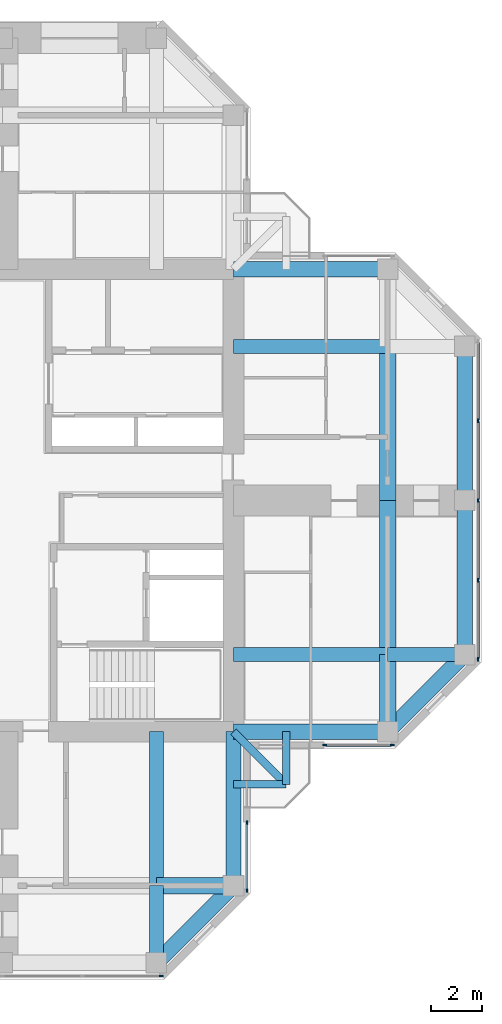
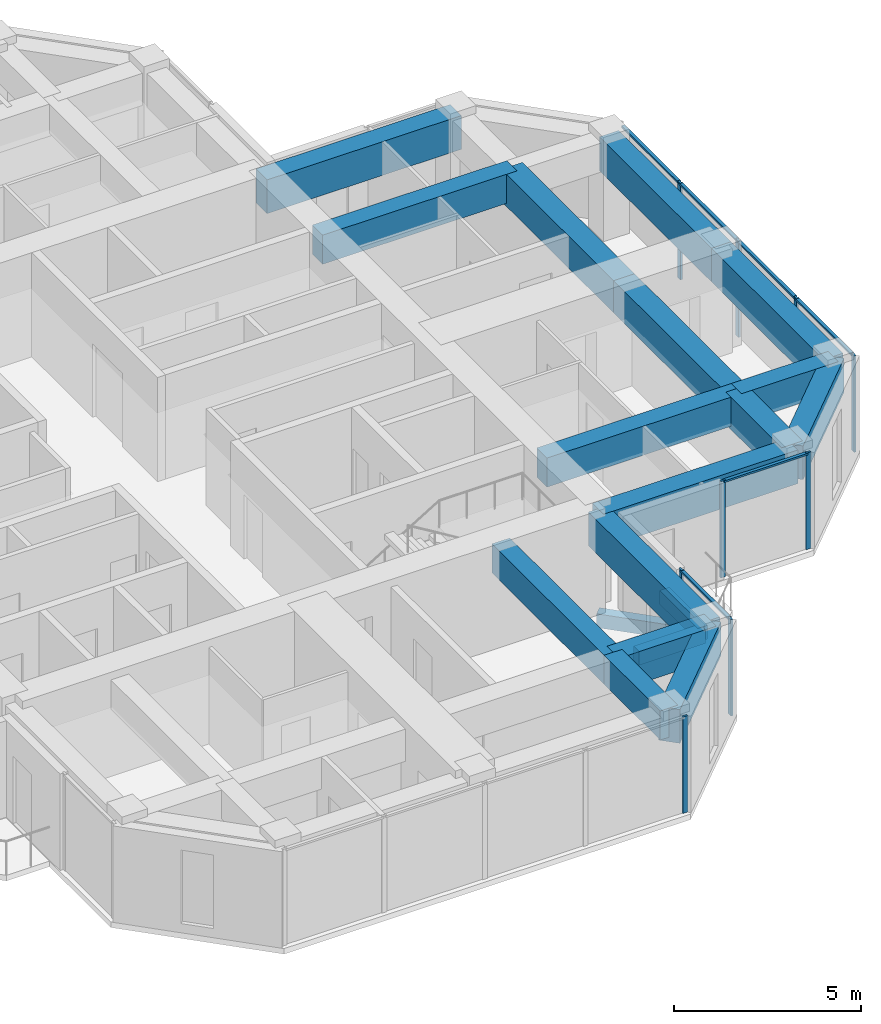
# One storey, part 5 of 13: 19 beams, 15 members, 4 elements without a shape of their own.
"""IFC4 building model written with IfcOpenShell, lengths in metres."""

from ifc_helpers import new_model, si_unit, direction, frame, origin, origin_2d, place, context, subcontext, project, spatial, rectangle, extrude, material, material_profile, profile_set, type_object, element, aggregate, save


model = new_model("IFC4")

# Units and contexts
model_context = context("Model", 3, precision=1e-05, world=origin(), true_north=direction((0.0, 1.0)))
body_context = subcontext(model_context, "Body", "Model", "MODEL_VIEW")
ifc_project = project(units=[si_unit("LENGTHUNIT", "METRE"), si_unit("AREAUNIT", "SQUARE_METRE"), si_unit("VOLUMEUNIT", "CUBIC_METRE"), si_unit("PLANEANGLEUNIT", "RADIAN"), si_unit("MASSUNIT", "GRAM", prefix="KILO")], contexts=[model_context])

# Site, building, storey
site_placement = place(None, origin())
site = spatial("IfcSite", under=ifc_project, at=site_placement, CompositionType="ELEMENT")
building_placement = place(site_placement, origin())
building = spatial("IfcBuilding", under=site, at=building_placement, Name="Torre Cruceta", CompositionType="ELEMENT")
storey_placement = place(building_placement, frame((0.0, 0.0, 249.300048828125)))
storey = spatial("IfcBuildingStorey", under=building, at=storey_placement, Name="L64", CompositionType="ELEMENT", Elevation=249.300048828125)

# Beams
ifc_material_1 = material(Name="Concrete G60 (fck 60 MPa)", Category="concrete")
ifc_material_profile_1 = material_profile(ifc_material_1, rectangle(XDim=0.300048828125, YDim=0.449951171875, at=origin_2d()), Name="RC 300X450")
ifc_profile_set_1 = profile_set([ifc_material_profile_1], Name="Concrete G60 (fck 60 MPa)")
beam_type_1 = type_object("IfcBeamType", Name="BALCONY CANTILEVER BEAM RC 300X450", PredefinedType="BEAM", material=ifc_profile_set_1)
beam_1_placement = place(storey_placement, frame((9.0, -9.0, -0.405029296875), z_axis=(0.707106781187, -0.707106781187, 0.0), x_axis=(0.707106781187, 0.707106781187, 0.0)))
element("IfcBeam", 1, at=beam_1_placement, inside=storey, type_object=beam_type_1, Name="BB1 balcony beam L64 S", PredefinedType="BEAM", context=body_context, shape_type="SweptSolid", body=[
    extrude(rectangle(XDim=0.300048828125, YDim=0.449951171875, at=origin_2d()), origin(), (0.0, 0.0, 1.0), 2.89990234375),
])
for number, where, z_axis, x_axis, name in (
    (2, (11.050537109375, -9.0, -0.405029296875), (0.0, -1.0, 0.0), (1.0, 0.0, 0.0), "BB1 balcony edge beam L64 S-X"),
    (3, (9.0, -11.050537109375, -0.405029296875), (1.0, 0.0, 0.0), (0.0, 1.0, 0.0), "BB1 balcony edge beam L64 S-Y"),
):
    element("IfcBeam", number, at=place(storey_placement, frame(where, z_axis=z_axis, x_axis=x_axis)), inside=storey, type_object=beam_type_1, Name=name, PredefinedType="BEAM", context=body_context, shape_type="SweptSolid", body=[
        extrude(rectangle(XDim=0.300048828125, YDim=0.449951171875, at=origin_2d()), origin(), (0.0, 0.0, 1.0), 2.050537109375),
    ])
ifc_material_2 = material(Name="Concrete G60 (fck 60 MPa)", Category="concrete")
ifc_material_profile_2 = material_profile(ifc_material_2, rectangle(XDim=0.550048828125, YDim=0.949951171875, at=origin_2d()), Name="RC 550X950")
ifc_profile_set_2 = profile_set([ifc_material_profile_2], Name="Concrete G60 (fck 60 MPa)")
beam_type_2 = type_object("IfcBeamType", Name="COLUMN LINE BEAM RC 550X950", PredefinedType="BEAM", material=ifc_profile_set_2)
beam_2_placement = place(storey_placement, frame((9.0, -6.0, 2.675048828125), z_axis=(1.0, 0.0, 0.0), x_axis=(0.0, 1.0, 0.0)))
element("IfcBeam", 4, at=beam_2_placement, inside=storey, type_object=beam_type_2, Name="LB3 L64 E col- 1", PredefinedType="BEAM", context=body_context, shape_type="SweptSolid", body=[
    extrude(rectangle(XDim=0.550048828125, YDim=0.949951171875, at=origin_2d()), origin(), (0.0, 0.0, 1.0), 6.0),
])
beam_3_placement = place(storey_placement, frame((15.0, -6.0, 2.675048828125), z_axis=(1.0, 0.0, 0.0), x_axis=(0.0, 1.0, 0.0)))
element("IfcBeam", 5, at=beam_3_placement, inside=storey, type_object=beam_type_2, Name="LB3 L64 E col- 2", PredefinedType="BEAM", context=body_context, shape_type="SweptSolid", body=[
    extrude(rectangle(XDim=0.550048828125, YDim=0.949951171875, at=origin_2d()), origin(), (0.0, 0.0, 1.0), 3.0),
])
for number, where, z_axis, x_axis, name in (
    (6, (9.0, 6.0, 2.675048828125), (1.0, 0.0, 0.0), (0.0, 1.0, 0.0), "LB3 L64 E col+ 1"),
    (7, (6.0, -9.0, 2.675048828125), (0.0, -1.0, 0.0), (1.0, 0.0, 0.0), "LB3 L64 S col+ 1"),
):
    element("IfcBeam", number, at=place(storey_placement, frame(where, z_axis=z_axis, x_axis=x_axis)), inside=storey, type_object=beam_type_2, Name=name, PredefinedType="BEAM", context=body_context, shape_type="SweptSolid", body=[
        extrude(rectangle(XDim=0.550048828125, YDim=0.949951171875, at=origin_2d()), origin(), (0.0, 0.0, 1.0), 6.0),
    ])
beam_4_placement = place(storey_placement, frame((6.0, -15.0, 2.675048828125), z_axis=(0.0, -1.0, 0.0), x_axis=(1.0, 0.0, 0.0)))
element("IfcBeam", 8, at=beam_4_placement, inside=storey, type_object=beam_type_2, Name="LB3 L64 S col+ 2", PredefinedType="BEAM", context=body_context, shape_type="SweptSolid", body=[
    extrude(rectangle(XDim=0.550048828125, YDim=0.949951171875, at=origin_2d()), origin(), (0.0, 0.0, 1.0), 3.0),
])
ifc_material_3 = material(Name="Concrete G60 (fck 60 MPa)", Category="concrete")
ifc_material_profile_3 = material_profile(ifc_material_3, rectangle(XDim=0.64990234375, YDim=1.050048828125, at=origin_2d()), Name="RC 650X1050")
ifc_profile_set_3 = profile_set([ifc_material_profile_3], Name="Concrete G60 (fck 60 MPa)")
beam_type_3 = type_object("IfcBeamType", Name="CROSS BEAM RC 650X1050", PredefinedType="BEAM", material=ifc_profile_set_3)
beam_5_placement = place(storey_placement, frame((15.0, -9.0, 2.625), z_axis=(0.0, 1.0, 0.0), x_axis=(-1.0, 0.0, 0.0)))
element("IfcBeam", 9, at=beam_5_placement, inside=storey, type_object=beam_type_3, Name="GB3 L64 E cross15 1", PredefinedType="BEAM", context=body_context, shape_type="SweptSolid", body=[
    extrude(rectangle(XDim=0.64990234375, YDim=1.050048828125, at=origin_2d()), origin(), (0.0, 0.0, 1.0), 3.0),
])
for number, where, z_axis, x_axis, name in (
    (10, (15.0, -6.0, 2.625), (0.0, 1.0, 0.0), (-1.0, 0.0, 0.0), "GB3 L64 E cross15 2"),
    (11, (15.0, 0.0, 2.625), (0.0, 1.0, 0.0), (-1.0, 0.0, 0.0), "GB3 L64 E cross15 3"),
):
    element("IfcBeam", number, at=place(storey_placement, frame(where, z_axis=z_axis, x_axis=x_axis)), inside=storey, type_object=beam_type_3, Name=name, PredefinedType="BEAM", context=body_context, shape_type="SweptSolid", body=[
        extrude(rectangle(XDim=0.64990234375, YDim=1.050048828125, at=origin_2d()), origin(), (0.0, 0.0, 1.0), 6.0),
    ])
beam_6_placement = place(storey_placement, frame((6.0, -15.0, 2.625), z_axis=(1.0, 0.0, 0.0), x_axis=(0.0, 1.0, 0.0)))
element("IfcBeam", 12, at=beam_6_placement, inside=storey, type_object=beam_type_3, Name="GB3 L64 S cross15 4", PredefinedType="BEAM", context=body_context, shape_type="SweptSolid", body=[
    extrude(rectangle(XDim=0.64990234375, YDim=1.050048828125, at=origin_2d()), origin(), (0.0, 0.0, 1.0), 3.0),
])

# Curtain wall, members
ifc_material_4 = material(Name="Aluminium unitised curtain wall", Category="aluminium")
curtain_wall_type = type_object("IfcCurtainWallType", Name="CURTAIN WALL CW-D CO-LIVING UPPER", PredefinedType="USERDEFINED", material=ifc_material_4)
curtain_wall_1_placement = place(storey_placement, origin())
curtain_wall_1 = element("IfcCurtainWall", 13, at=curtain_wall_1_placement, inside=storey, type_object=curtain_wall_type, Name="CW-D L64 E side 00", ObjectType="UNITISED", PredefinedType="USERDEFINED")
ifc_material_5 = material(Name="Aluminium mullion", Category="aluminium")
ifc_material_profile_4 = material_profile(ifc_material_5, rectangle(XDim=0.06005859375, YDim=0.14990234375, at=origin_2d()), Name="AL 60X150")
ifc_profile_set_4 = profile_set([ifc_material_profile_4], Name="Aluminium mullion")
member_type_1 = type_object("IfcMemberType", Name="CW-D MULLION 60X150", PredefinedType="MULLION", material=ifc_profile_set_4)
member_1_placement = place(storey_placement, frame((12.550048828125, -9.52001953125, 0.0), z_axis=(0.0, 0.0, 1.0), x_axis=(0.0, 1.0, 0.0)))
member_1 = element("IfcMember", 14, at=member_1_placement, type_object=member_type_1, Name="CW-D mullion 1", PredefinedType="MULLION", context=body_context, shape_type="SweptSolid", body=[
    extrude(rectangle(XDim=0.06005859375, YDim=0.14990234375, at=origin_2d()), origin(), (0.0, 0.0, 1.0), 3.14990234375),
])
member_2_placement = place(storey_placement, frame((15.185302734375, -9.52001953125, 0.0), z_axis=(0.0, 0.0, 1.0), x_axis=(0.0, 1.0, 0.0)))
member_2 = element("IfcMember", 15, at=member_2_placement, type_object=member_type_1, Name="CW-D mullion 2", PredefinedType="MULLION", context=body_context, shape_type="SweptSolid", body=[
    extrude(rectangle(XDim=0.06005859375, YDim=0.14990234375, at=origin_2d()), origin(), (0.0, 0.0, 1.0), 3.14990234375),
])

curtain_wall_2_placement = place(storey_placement, origin())
curtain_wall_2 = element("IfcCurtainWall", 16, at=curtain_wall_2_placement, inside=storey, type_object=curtain_wall_type, Name="CW-D L64 E tip 02", ObjectType="UNITISED", PredefinedType="USERDEFINED")
member_3_placement = place(storey_placement, frame((18.52001953125, -6.185302734375, 0.0), z_axis=(0.0, 0.0, 1.0), x_axis=(-1.0, 0.0, 0.0)))
member_3 = element("IfcMember", 17, at=member_3_placement, type_object=member_type_1, Name="CW-D mullion 1", PredefinedType="MULLION", context=body_context, shape_type="SweptSolid", body=[
    extrude(rectangle(XDim=0.06005859375, YDim=0.14990234375, at=origin_2d()), origin(), (0.0, 0.0, 1.0), 3.14990234375),
])
member_4_placement = place(storey_placement, frame((18.52001953125, -3.107666015625, 0.0), z_axis=(0.0, 0.0, 1.0), x_axis=(-1.0, 0.0, 0.0)))
member_4 = element("IfcMember", 18, at=member_4_placement, type_object=member_type_1, Name="CW-D mullion 2", PredefinedType="MULLION", context=body_context, shape_type="SweptSolid", body=[
    extrude(rectangle(XDim=0.06005859375, YDim=0.14990234375, at=origin_2d()), origin(), (0.0, 0.0, 1.0), 3.14990234375),
])
member_5_placement = place(storey_placement, frame((18.52001953125, 0.0, 0.0), z_axis=(0.0, 0.0, 1.0), x_axis=(-1.0, 0.0, 0.0)))
member_5 = element("IfcMember", 19, at=member_5_placement, type_object=member_type_1, Name="CW-D mullion 3", PredefinedType="MULLION", context=body_context, shape_type="SweptSolid", body=[
    extrude(rectangle(XDim=0.06005859375, YDim=0.14990234375, at=origin_2d()), origin(), (0.0, 0.0, 1.0), 3.14990234375),
])
member_6_placement = place(storey_placement, frame((18.52001953125, 3.107666015625, 0.0), z_axis=(0.0, 0.0, 1.0), x_axis=(-1.0, 0.0, 0.0)))
member_6 = element("IfcMember", 20, at=member_6_placement, type_object=member_type_1, Name="CW-D mullion 4", PredefinedType="MULLION", context=body_context, shape_type="SweptSolid", body=[
    extrude(rectangle(XDim=0.06005859375, YDim=0.14990234375, at=origin_2d()), origin(), (0.0, 0.0, 1.0), 3.14990234375),
])

# Curtain wall, member
curtain_wall_3_placement = place(storey_placement, origin())
curtain_wall_3 = element("IfcCurtainWall", 21, at=curtain_wall_3_placement, inside=storey, type_object=curtain_wall_type, Name="CW-D L64 S tip 17", ObjectType="UNITISED", PredefinedType="USERDEFINED")
member_7_placement = place(storey_placement, frame((6.185302734375, -18.52001953125, 0.0), z_axis=(0.0, 0.0, 1.0), x_axis=(0.0, 1.0, 0.0)))
member_7 = element("IfcMember", 22, at=member_7_placement, type_object=member_type_1, Name="CW-D mullion 5", PredefinedType="MULLION", context=body_context, shape_type="SweptSolid", body=[
    extrude(rectangle(XDim=0.06005859375, YDim=0.14990234375, at=origin_2d()), origin(), (0.0, 0.0, 1.0), 3.14990234375),
])
aggregate(curtain_wall_3, [member_7])

# Curtain wall, members
curtain_wall_4_placement = place(storey_placement, origin())
curtain_wall_4 = element("IfcCurtainWall", 23, at=curtain_wall_4_placement, inside=storey, type_object=curtain_wall_type, Name="CW-D L64 S side 19", ObjectType="UNITISED", PredefinedType="USERDEFINED")
member_8_placement = place(storey_placement, frame((9.52001953125, -15.185302734375, 0.0), z_axis=(0.0, 0.0, 1.0), x_axis=(-1.0, 0.0, 0.0)))
member_8 = element("IfcMember", 24, at=member_8_placement, type_object=member_type_1, Name="CW-D mullion 1", PredefinedType="MULLION", context=body_context, shape_type="SweptSolid", body=[
    extrude(rectangle(XDim=0.06005859375, YDim=0.14990234375, at=origin_2d()), origin(), (0.0, 0.0, 1.0), 3.14990234375),
])
member_9_placement = place(storey_placement, frame((9.52001953125, -12.550048828125, 0.0), z_axis=(0.0, 0.0, 1.0), x_axis=(-1.0, 0.0, 0.0)))
member_9 = element("IfcMember", 25, at=member_9_placement, type_object=member_type_1, Name="CW-D mullion 2", PredefinedType="MULLION", context=body_context, shape_type="SweptSolid", body=[
    extrude(rectangle(XDim=0.06005859375, YDim=0.14990234375, at=origin_2d()), origin(), (0.0, 0.0, 1.0), 3.14990234375),
])

# Member
ifc_material_6 = material(Name="Aluminium transom", Category="aluminium")
ifc_material_profile_5 = material_profile(ifc_material_6, rectangle(XDim=0.10009765625, YDim=0.06005859375, at=origin_2d()), Name="AL 100X60")
ifc_profile_set_5 = profile_set([ifc_material_profile_5], Name="Aluminium transom")
member_type_2 = type_object("IfcMemberType", Name="CW-D TRANSOM 60X100", PredefinedType="USERDEFINED", material=ifc_profile_set_5)
member_10_placement = place(storey_placement, frame((12.580078125, -9.52001953125, 3.119873046875), z_axis=(1.0, 0.0, 0.0), x_axis=(0.0, 1.0, 0.0)))
member_10 = element("IfcMember", 26, at=member_10_placement, type_object=member_type_2, Name="CW-D transom 1", ObjectType="TRANSOM", PredefinedType="USERDEFINED", context=body_context, shape_type="SweptSolid", body=[
    extrude(rectangle(XDim=0.10009765625, YDim=0.06005859375, at=origin_2d()), origin(), (0.0, 0.0, 1.0), 2.5751953125),
])

aggregate(curtain_wall_1, [member_1, member_2, member_10])

member_11_placement = place(storey_placement, frame((18.52001953125, -6.1552734375, 3.119873046875), z_axis=(0.0, 1.0, 0.0), x_axis=(-1.0, 0.0, 0.0)))
member_11 = element("IfcMember", 27, at=member_11_placement, type_object=member_type_2, Name="CW-D transom 1", ObjectType="TRANSOM", PredefinedType="USERDEFINED", context=body_context, shape_type="SweptSolid", body=[
    extrude(rectangle(XDim=0.10009765625, YDim=0.06005859375, at=origin_2d()), origin(), (0.0, 0.0, 1.0), 3.017578125),
])

member_12_placement = place(storey_placement, frame((18.52001953125, -3.07763671875, 3.119873046875), z_axis=(0.0, 1.0, 0.0), x_axis=(-1.0, 0.0, 0.0)))
member_12 = element("IfcMember", 28, at=member_12_placement, type_object=member_type_2, Name="CW-D transom 2", ObjectType="TRANSOM", PredefinedType="USERDEFINED", context=body_context, shape_type="SweptSolid", body=[
    extrude(rectangle(XDim=0.10009765625, YDim=0.06005859375, at=origin_2d()), origin(), (0.0, 0.0, 1.0), 3.047607421875),
])

member_13_placement = place(storey_placement, frame((18.52001953125, 0.030029296875, 3.119873046875), z_axis=(0.0, 1.0, 0.0), x_axis=(-1.0, 0.0, 0.0)))
member_13 = element("IfcMember", 29, at=member_13_placement, type_object=member_type_2, Name="CW-D transom 3", ObjectType="TRANSOM", PredefinedType="USERDEFINED", context=body_context, shape_type="SweptSolid", body=[
    extrude(rectangle(XDim=0.10009765625, YDim=0.06005859375, at=origin_2d()), origin(), (0.0, 0.0, 1.0), 3.047607421875),
])

member_14_placement = place(storey_placement, frame((18.52001953125, 3.1376953125, 3.119873046875), z_axis=(0.0, 1.0, 0.0), x_axis=(-1.0, 0.0, 0.0)))
member_14 = element("IfcMember", 30, at=member_14_placement, type_object=member_type_2, Name="CW-D transom 4", ObjectType="TRANSOM", PredefinedType="USERDEFINED", context=body_context, shape_type="SweptSolid", body=[
    extrude(rectangle(XDim=0.10009765625, YDim=0.06005859375, at=origin_2d()), origin(), (0.0, 0.0, 1.0), 3.017578125),
])

aggregate(curtain_wall_2, [member_3, member_4, member_5, member_6, member_11, member_12, member_13, member_14])

member_15_placement = place(storey_placement, frame((9.52001953125, -15.1552734375, 3.119873046875), z_axis=(0.0, 1.0, 0.0), x_axis=(-1.0, 0.0, 0.0)))
member_15 = element("IfcMember", 31, at=member_15_placement, type_object=member_type_2, Name="CW-D transom 1", ObjectType="TRANSOM", PredefinedType="USERDEFINED", context=body_context, shape_type="SweptSolid", body=[
    extrude(rectangle(XDim=0.10009765625, YDim=0.06005859375, at=origin_2d()), origin(), (0.0, 0.0, 1.0), 2.5751953125),
])

aggregate(curtain_wall_4, [member_8, member_9, member_15])

# Beams
ifc_material_7 = material(Name="Concrete G60 (fck 60 MPa)", Category="concrete")
ifc_material_profile_6 = material_profile(ifc_material_7, rectangle(XDim=0.60009765625, YDim=1.10009765625, at=origin_2d()), Name="RC 600X1100")
ifc_profile_set_6 = profile_set([ifc_material_profile_6], Name="Concrete G60 (fck 60 MPa)")
beam_type_4 = type_object("IfcBeamType", Name="SPANDREL BEAM RC 600X1100", PredefinedType="SPANDREL", material=ifc_profile_set_6)
beam_7_placement = place(storey_placement, frame((9.0, -9.0, 2.599853515625), z_axis=(1.0, 0.0, 0.0), x_axis=(0.0, 1.0, 0.0)))
element("IfcBeam", 32, at=beam_7_placement, inside=storey, type_object=beam_type_4, Name="SB2 L64 E side- 1", PredefinedType="SPANDREL", context=body_context, shape_type="SweptSolid", body=[
    extrude(rectangle(XDim=0.60009765625, YDim=1.10009765625, at=origin_2d()), origin(), (0.0, 0.0, 1.0), 6.0),
])
beam_8_placement = place(storey_placement, frame((15.0, -9.0, 2.599853515625), z_axis=(0.707106781187, 0.707106781187, 0.0), x_axis=(-0.707106781187, 0.707106781187, 0.0)))
element("IfcBeam", 33, at=beam_8_placement, inside=storey, type_object=beam_type_4, Name="SB2 L64 E side- 2", PredefinedType="SPANDREL", context=body_context, shape_type="SweptSolid", body=[
    extrude(rectangle(XDim=0.60009765625, YDim=1.10009765625, at=origin_2d()), origin(), (0.0, 0.0, 1.0), 4.24267578125),
])
for number, where, z_axis, x_axis, name in (
    (34, (9.0, 9.0, 2.599853515625), (1.0, 0.0, 0.0), (0.0, 1.0, 0.0), "SB2 L64 E side+ 1"),
    (35, (18.0, -6.0, 2.599853515625), (0.0, 1.0, 0.0), (-1.0, 0.0, 0.0), "SB2 L64 E tip 1"),
    (36, (18.0, 0.0, 2.599853515625), (0.0, 1.0, 0.0), (-1.0, 0.0, 0.0), "SB2 L64 E tip 2"),
    (37, (9.0, -9.0, 2.599853515625), (0.0, -1.0, 0.0), (1.0, 0.0, 0.0), "SB2 L64 S side+ 1"),
):
    element("IfcBeam", number, at=place(storey_placement, frame(where, z_axis=z_axis, x_axis=x_axis)), inside=storey, type_object=beam_type_4, Name=name, PredefinedType="SPANDREL", context=body_context, shape_type="SweptSolid", body=[
        extrude(rectangle(XDim=0.60009765625, YDim=1.10009765625, at=origin_2d()), origin(), (0.0, 0.0, 1.0), 6.0),
    ])
beam_9_placement = place(storey_placement, frame((9.0, -15.0, 2.599853515625), z_axis=(-0.707106781187, -0.707106781187, 0.0), x_axis=(0.707106781187, -0.707106781187, 0.0)))
element("IfcBeam", 38, at=beam_9_placement, inside=storey, type_object=beam_type_4, Name="SB2 L64 S side+ 2", PredefinedType="SPANDREL", context=body_context, shape_type="SweptSolid", body=[
    extrude(rectangle(XDim=0.60009765625, YDim=1.10009765625, at=origin_2d()), origin(), (0.0, 0.0, 1.0), 4.24267578125),
])

save(model, "model.ifc")
